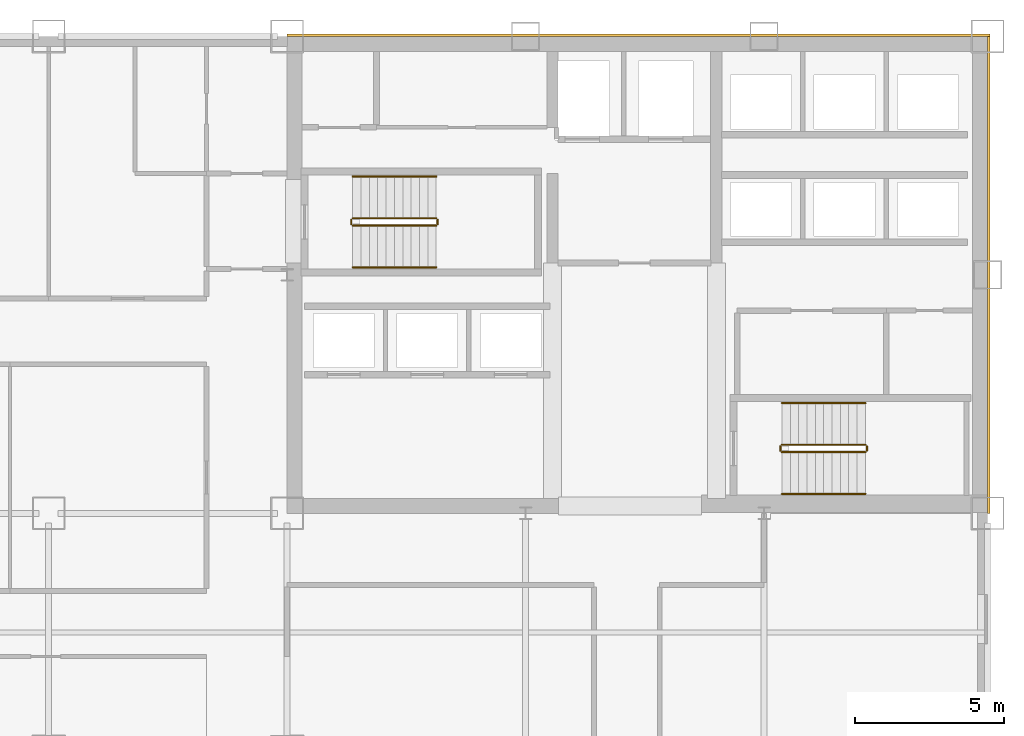
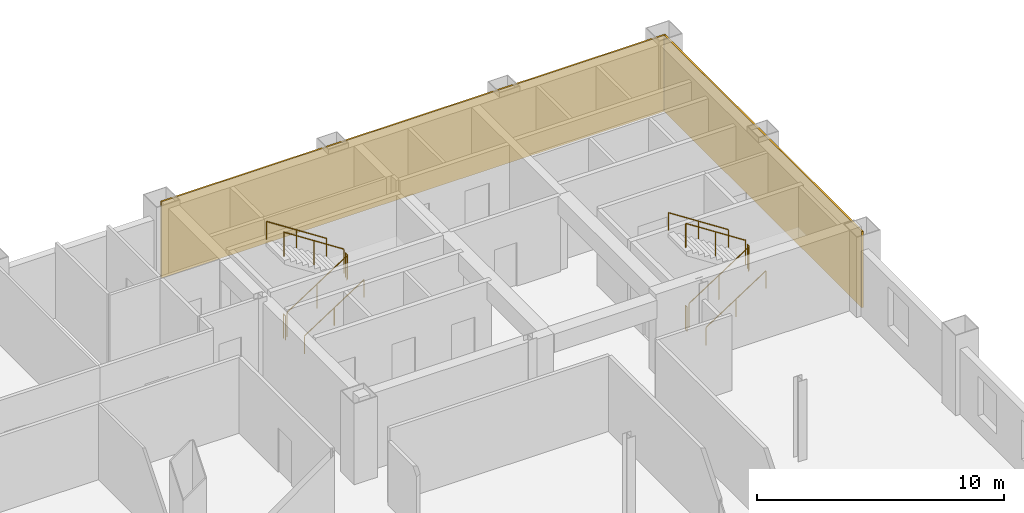
# One storey, part 10 of 10: 12 railings, 2 coverings.
"""IFC4 building model written with IfcOpenShell, lengths in metres."""

from ifc_helpers import new_model, si_unit, direction, frame, origin, origin_2d, place, context, subcontext, project, spatial, rectangle, circle, extrude, material, layer, layer_set, type_object, element, save


model = new_model("IFC4")

# Units and contexts
model_context = context("Model", 3, precision=1e-05, world=origin(), true_north=direction((0.0, 1.0)))
body_context = subcontext(model_context, "Body", "Model", "MODEL_VIEW")
ifc_project = project(units=[si_unit("LENGTHUNIT", "METRE"), si_unit("AREAUNIT", "SQUARE_METRE"), si_unit("VOLUMEUNIT", "CUBIC_METRE"), si_unit("PLANEANGLEUNIT", "RADIAN"), si_unit("MASSUNIT", "GRAM", prefix="KILO")], contexts=[model_context])

# Site, building, storey
site_placement = place(None, origin())
site = spatial("IfcSite", under=ifc_project, at=site_placement, CompositionType="ELEMENT")
building_placement = place(site_placement, origin())
building = spatial("IfcBuilding", under=site, at=building_placement, Name="Qianrong Seaharbour Tower", CompositionType="ELEMENT")
storey_placement = place(building_placement, frame((0.0, 0.0, 131.0)))
storey = spatial("IfcBuildingStorey", under=building, at=storey_placement, Name="L31", CompositionType="ELEMENT", Elevation=131.0)

# Coverings
ifc_material_1 = material(Name="Unitised red brick cladding on Precast concrete C45/55", Category="masonry")
ifc_layer = layer(ifc_material_1, 0.080078125)
ifc_layer_set = layer_set([ifc_layer], Name="Unitised red brick cladding on Precast concrete C45/55")
covering_type = type_object("IfcCoveringType", Name="COV-CLAD-RED-BRICK-80", PredefinedType="CLADDING", material=ifc_layer_set)
covering_1_placement = place(storey_placement, frame((52.2900390625, 52.0400390625, 0.0), z_axis=(0.0, 0.0, 1.0), x_axis=(1.0, 0.0, 0.0)))
element("IfcCovering", 1, at=covering_1_placement, inside=storey, type_object=covering_type, Name="L31 North Core Brick Veneer Cladding", PredefinedType="CLADDING", context=body_context, shape_type="SweptSolid", body=[
    extrude(rectangle(XDim=23.580078125, YDim=0.080078125, at=origin_2d()), origin(), (0.0, 0.0, 1.0), 3.764892578125),
])
covering_2_placement = place(storey_placement, frame((64.0400390625, 44.0, 0.0), z_axis=(0.0, 0.0, 1.0), x_axis=(1.0, 0.0, 0.0)))
element("IfcCovering", 2, at=covering_2_placement, inside=storey, type_object=covering_type, Name="L31 East Core Brick Veneer Cladding", PredefinedType="CLADDING", context=body_context, shape_type="SweptSolid", body=[
    extrude(rectangle(XDim=0.080078125, YDim=16.0, at=origin_2d()), origin(), (0.0, 0.0, 1.0), 3.764892578125),
])

# Railings
ifc_material_2 = material(Name="Galvanized painted steel SN400B stair guard", Category="steel")
railing_type_1 = type_object("IfcRailingType", Name="RAIL-STAIR-GUARD-1220", PredefinedType="GUARDRAIL", material=ifc_material_2)
railing_1_placement = place(storey_placement, frame((42.699951171875, 45.64990234375, 0.181884765625)))
element("IfcRailing", 3, at=railing_1_placement, inside=storey, type_object=railing_type_1, Name="L31 ST-1 stair guard 1", PredefinedType="GUARDRAIL", context=body_context, shape_type="SweptSolid", body=[
    extrude(circle(Radius=0.02392578125, at=origin_2d()), frame((0.0, 0.0, 1.19580078125), z_axis=(0.838705829183, 0.0, 0.544584733623), x_axis=(0.0, 1.0, 0.0)), (0.0, 0.0, 1.0), 3.338623046875),
    extrude(circle(Radius=0.02099609375, at=origin_2d()), origin(), (0.0, 0.0, 1.0), 1.171875),
    extrude(circle(Radius=0.02099609375, at=origin_2d()), frame((1.39990234375, 0.0, 0.9091796875)), (0.0, 0.0, 1.0), 1.171875),
    extrude(circle(Radius=0.02099609375, at=origin_2d()), frame((2.800048828125, 0.0, 1.818115234375)), (0.0, 0.0, 1.0), 1.171875),
])
railing_2_placement = place(storey_placement, frame((45.550048828125, 45.699951171875, 2.0)))
element("IfcRailing", 4, at=railing_2_placement, inside=storey, type_object=railing_type_1, Name="L31 ST-1 stair guard 2", PredefinedType="GUARDRAIL", context=body_context, shape_type="SweptSolid", body=[
    extrude(circle(Radius=0.02392578125, at=origin_2d()), frame((0.0, 0.0, 1.19580078125), z_axis=(0.0, 1.0, 0.0), x_axis=(-1.0, 0.0, 0.0)), (0.0, 0.0, 1.0), 0.150146484375),
    extrude(circle(Radius=0.02099609375, at=origin_2d()), origin(), (0.0, 0.0, 1.0), 1.171875),
    extrude(circle(Radius=0.02099609375, at=origin_2d()), frame((0.0, 0.150146484375, 0.0)), (0.0, 0.0, 1.0), 1.171875),
])
railing_3_placement = place(storey_placement, frame((45.5, 45.89990234375, 2.181884765625)))
element("IfcRailing", 5, at=railing_3_placement, inside=storey, type_object=railing_type_1, Name="L31 ST-1 stair guard 3", PredefinedType="GUARDRAIL", context=body_context, shape_type="SweptSolid", body=[
    extrude(circle(Radius=0.02392578125, at=origin_2d()), frame((0.0, 0.0, 1.19580078125), z_axis=(-0.838705829183, 0.0, 0.544584733623), x_axis=(0.0, -1.0, 0.0)), (0.0, 0.0, 1.0), 3.338623046875),
    extrude(circle(Radius=0.02099609375, at=origin_2d()), origin(), (0.0, 0.0, 1.0), 1.171875),
    extrude(circle(Radius=0.02099609375, at=origin_2d()), frame((-1.39990234375, 0.0, 0.9091796875)), (0.0, 0.0, 1.0), 1.171875),
    extrude(circle(Radius=0.02099609375, at=origin_2d()), frame((-2.800048828125, 0.0, 1.818115234375)), (0.0, 0.0, 1.0), 1.171875),
])
railing_4_placement = place(storey_placement, frame((42.64990234375, 45.699951171875, 0.0)))
element("IfcRailing", 6, at=railing_4_placement, inside=storey, type_object=railing_type_1, Name="L31 ST-1 stair guard 4", PredefinedType="GUARDRAIL", context=body_context, shape_type="SweptSolid", body=[
    extrude(circle(Radius=0.02392578125, at=origin_2d()), frame((0.0, 0.0, 1.19580078125), z_axis=(0.0, 1.0, 0.0), x_axis=(-1.0, 0.0, 0.0)), (0.0, 0.0, 1.0), 0.150146484375),
    extrude(circle(Radius=0.02099609375, at=origin_2d()), origin(), (0.0, 0.0, 1.0), 1.171875),
    extrude(circle(Radius=0.02099609375, at=origin_2d()), frame((0.0, 0.150146484375, 0.0)), (0.0, 0.0, 1.0), 1.171875),
])
railing_5_placement = place(storey_placement, frame((57.10009765625, 38.050048828125, 0.181884765625)))
element("IfcRailing", 7, at=railing_5_placement, inside=storey, type_object=railing_type_1, Name="L31 ST-2 stair guard 1", PredefinedType="GUARDRAIL", context=body_context, shape_type="SweptSolid", body=[
    extrude(circle(Radius=0.02392578125, at=origin_2d()), frame((0.0, 0.0, 1.19580078125), z_axis=(0.83868413941, 0.0, 0.544618136222), x_axis=(0.0, 1.0, 0.0)), (0.0, 0.0, 1.0), 3.33837890625),
    extrude(circle(Radius=0.02099609375, at=origin_2d()), origin(), (0.0, 0.0, 1.0), 1.171875),
    extrude(circle(Radius=0.02099609375, at=origin_2d()), frame((1.39990234375, 0.0, 0.9091796875)), (0.0, 0.0, 1.0), 1.171875),
    extrude(circle(Radius=0.02099609375, at=origin_2d()), frame((2.7998046875, 0.0, 1.818115234375)), (0.0, 0.0, 1.0), 1.171875),
])
railing_6_placement = place(storey_placement, frame((59.949951171875, 38.10009765625, 2.0)))
element("IfcRailing", 8, at=railing_6_placement, inside=storey, type_object=railing_type_1, Name="L31 ST-2 stair guard 2", PredefinedType="GUARDRAIL", context=body_context, shape_type="SweptSolid", body=[
    extrude(circle(Radius=0.02392578125, at=origin_2d()), frame((0.0, 0.0, 1.19580078125), z_axis=(0.0, 1.0, 0.0), x_axis=(-1.0, 0.0, 0.0)), (0.0, 0.0, 1.0), 0.14990234375),
    extrude(circle(Radius=0.02099609375, at=origin_2d()), origin(), (0.0, 0.0, 1.0), 1.171875),
    extrude(circle(Radius=0.02099609375, at=origin_2d()), frame((0.0, 0.14990234375, 0.0)), (0.0, 0.0, 1.0), 1.171875),
])
railing_7_placement = place(storey_placement, frame((59.89990234375, 38.300048828125, 2.181884765625)))
element("IfcRailing", 9, at=railing_7_placement, inside=storey, type_object=railing_type_1, Name="L31 ST-2 stair guard 3", PredefinedType="GUARDRAIL", context=body_context, shape_type="SweptSolid", body=[
    extrude(circle(Radius=0.02392578125, at=origin_2d()), frame((0.0, 0.0, 1.19580078125), z_axis=(-0.83868413941, 0.0, 0.544618136222), x_axis=(0.0, -1.0, 0.0)), (0.0, 0.0, 1.0), 3.33837890625),
    extrude(circle(Radius=0.02099609375, at=origin_2d()), origin(), (0.0, 0.0, 1.0), 1.171875),
    extrude(circle(Radius=0.02099609375, at=origin_2d()), frame((-1.39990234375, 0.0, 0.9091796875)), (0.0, 0.0, 1.0), 1.171875),
    extrude(circle(Radius=0.02099609375, at=origin_2d()), frame((-2.7998046875, 0.0, 1.818115234375)), (0.0, 0.0, 1.0), 1.171875),
])
railing_8_placement = place(storey_placement, frame((57.050048828125, 38.10009765625, 0.0)))
element("IfcRailing", 10, at=railing_8_placement, inside=storey, type_object=railing_type_1, Name="L31 ST-2 stair guard 4", PredefinedType="GUARDRAIL", context=body_context, shape_type="SweptSolid", body=[
    extrude(circle(Radius=0.02392578125, at=origin_2d()), frame((0.0, 0.0, 1.19580078125), z_axis=(0.0, 1.0, 0.0), x_axis=(-1.0, 0.0, 0.0)), (0.0, 0.0, 1.0), 0.14990234375),
    extrude(circle(Radius=0.02099609375, at=origin_2d()), origin(), (0.0, 0.0, 1.0), 1.171875),
    extrude(circle(Radius=0.02099609375, at=origin_2d()), frame((0.0, 0.14990234375, 0.0)), (0.0, 0.0, 1.0), 1.171875),
])
ifc_material_3 = material(Name="Stainless steel SUS316L continuous handrail", Category="steel")
railing_type_2 = type_object("IfcRailingType", Name="RAIL-STAIR-HANDRAIL-900", PredefinedType="HANDRAIL", material=ifc_material_3)
railing_9_placement = place(storey_placement, frame((42.699951171875, 44.25, 0.181884765625)))
element("IfcRailing", 11, at=railing_9_placement, inside=storey, type_object=railing_type_2, Name="L31 ST-1 stair handrail 1", PredefinedType="HANDRAIL", context=body_context, shape_type="SweptSolid", body=[
    extrude(circle(Radius=0.02392578125, at=origin_2d()), frame((0.0, 0.0, 0.8759765625), z_axis=(0.838705829183, 0.0, 0.544584733623), x_axis=(0.0, 1.0, 0.0)), (0.0, 0.0, 1.0), 3.338623046875),
    extrude(circle(Radius=0.02099609375, at=origin_2d()), origin(), (0.0, 0.0, 1.0), 0.851806640625),
    extrude(circle(Radius=0.02099609375, at=origin_2d()), frame((1.39990234375, 0.0, 0.9091796875)), (0.0, 0.0, 1.0), 0.851806640625),
    extrude(circle(Radius=0.02099609375, at=origin_2d()), frame((2.800048828125, 0.0, 1.818115234375)), (0.0, 0.0, 1.0), 0.851806640625),
])
railing_10_placement = place(storey_placement, frame((45.5, 47.300048828125, 2.181884765625)))
element("IfcRailing", 12, at=railing_10_placement, inside=storey, type_object=railing_type_2, Name="L31 ST-1 stair handrail 2", PredefinedType="HANDRAIL", context=body_context, shape_type="SweptSolid", body=[
    extrude(circle(Radius=0.02392578125, at=origin_2d()), frame((0.0, 0.0, 0.8759765625), z_axis=(-0.838705829183, 0.0, 0.544584733623), x_axis=(0.0, -1.0, 0.0)), (0.0, 0.0, 1.0), 3.338623046875),
    extrude(circle(Radius=0.02099609375, at=origin_2d()), origin(), (0.0, 0.0, 1.0), 0.851806640625),
    extrude(circle(Radius=0.02099609375, at=origin_2d()), frame((-1.39990234375, 0.0, 0.9091796875)), (0.0, 0.0, 1.0), 0.851806640625),
    extrude(circle(Radius=0.02099609375, at=origin_2d()), frame((-2.800048828125, 0.0, 1.818115234375)), (0.0, 0.0, 1.0), 0.851806640625),
])
railing_11_placement = place(storey_placement, frame((57.10009765625, 36.64990234375, 0.181884765625)))
element("IfcRailing", 13, at=railing_11_placement, inside=storey, type_object=railing_type_2, Name="L31 ST-2 stair handrail 1", PredefinedType="HANDRAIL", context=body_context, shape_type="SweptSolid", body=[
    extrude(circle(Radius=0.02392578125, at=origin_2d()), frame((0.0, 0.0, 0.8759765625), z_axis=(0.83868413941, 0.0, 0.544618136222), x_axis=(0.0, 1.0, 0.0)), (0.0, 0.0, 1.0), 3.33837890625),
    extrude(circle(Radius=0.02099609375, at=origin_2d()), origin(), (0.0, 0.0, 1.0), 0.851806640625),
    extrude(circle(Radius=0.02099609375, at=origin_2d()), frame((1.39990234375, 0.0, 0.9091796875)), (0.0, 0.0, 1.0), 0.851806640625),
    extrude(circle(Radius=0.02099609375, at=origin_2d()), frame((2.7998046875, 0.0, 1.818115234375)), (0.0, 0.0, 1.0), 0.851806640625),
])
railing_12_placement = place(storey_placement, frame((59.89990234375, 39.699951171875, 2.181884765625)))
element("IfcRailing", 14, at=railing_12_placement, inside=storey, type_object=railing_type_2, Name="L31 ST-2 stair handrail 2", PredefinedType="HANDRAIL", context=body_context, shape_type="SweptSolid", body=[
    extrude(circle(Radius=0.02392578125, at=origin_2d()), frame((0.0, 0.0, 0.8759765625), z_axis=(-0.83868413941, 0.0, 0.544618136222), x_axis=(0.0, -1.0, 0.0)), (0.0, 0.0, 1.0), 3.33837890625),
    extrude(circle(Radius=0.02099609375, at=origin_2d()), origin(), (0.0, 0.0, 1.0), 0.851806640625),
    extrude(circle(Radius=0.02099609375, at=origin_2d()), frame((-1.39990234375, 0.0, 0.9091796875)), (0.0, 0.0, 1.0), 0.851806640625),
    extrude(circle(Radius=0.02099609375, at=origin_2d()), frame((-2.7998046875, 0.0, 1.818115234375)), (0.0, 0.0, 1.0), 0.851806640625),
])

save(model, "model.ifc")
